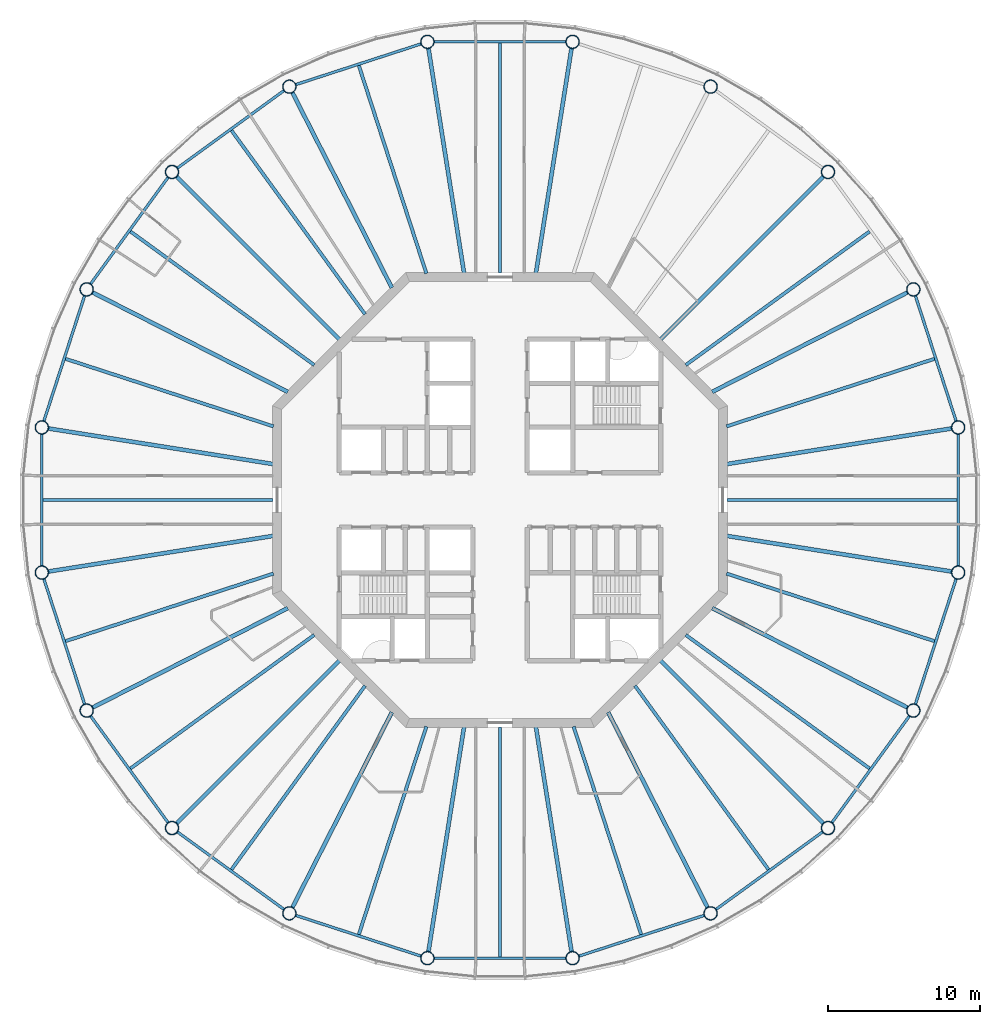
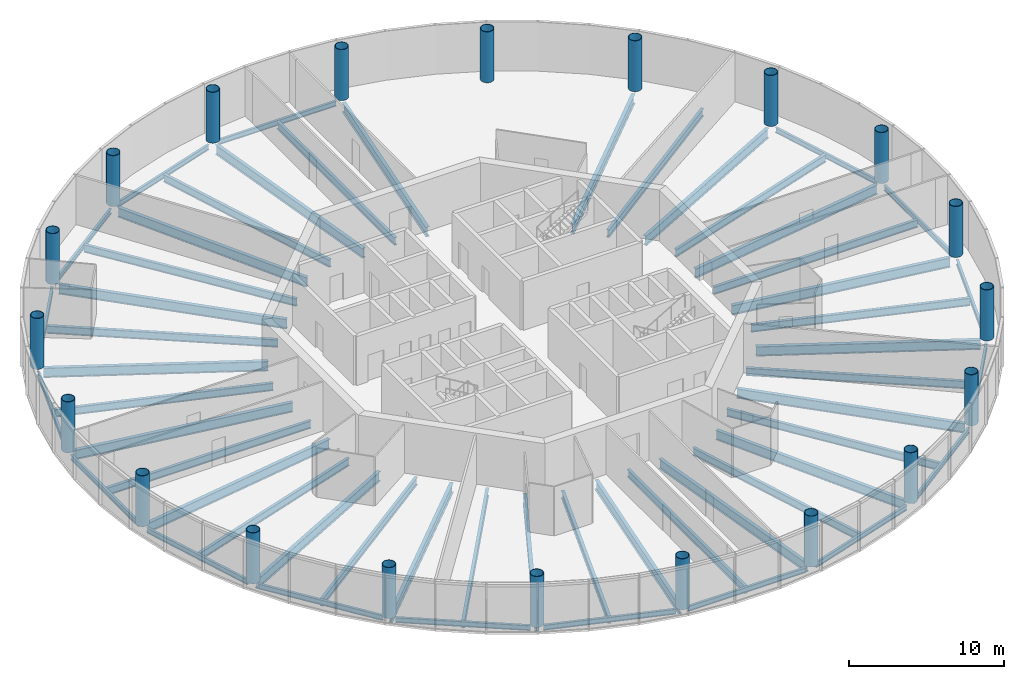
# One storey, part 1 of 13: 54 beams, 20 columns.
"""IFC4 building model written with IfcOpenShell, lengths in metres."""

from ifc_helpers import new_model, si_unit, direction, frame, origin, origin_2d, place, context, subcontext, project, spatial, circle, hollow_circle, i_section, extrude, material, material_profile, profile_set, type_object, element, save


model = new_model("IFC4")

# Units and contexts
model_context = context("Model", 3, precision=1e-05, world=origin(), true_north=direction((0.0, 1.0)))
body_context = subcontext(model_context, "Body", "Model", "MODEL_VIEW")
ifc_project = project(units=[si_unit("LENGTHUNIT", "METRE"), si_unit("AREAUNIT", "SQUARE_METRE"), si_unit("VOLUMEUNIT", "CUBIC_METRE"), si_unit("PLANEANGLEUNIT", "RADIAN"), si_unit("MASSUNIT", "GRAM", prefix="KILO")], contexts=[model_context])

# Site, building, storey
site_placement = place(None, origin())
site = spatial("IfcSite", under=ifc_project, at=site_placement, CompositionType="ELEMENT")
building_placement = place(site_placement, origin())
building = spatial("IfcBuilding", under=site, at=building_placement, Name="Entoto Ring Tower", CompositionType="ELEMENT")
storey_placement = place(building_placement, frame((0.0, 0.0, 364.0)))
storey = spatial("IfcBuildingStorey", under=building, at=storey_placement, Name="L84", CompositionType="ELEMENT", Elevation=364.0)

# Columns
ifc_material_1 = material(Name="Steel S355", Category="steel")
ifc_material_profile_1 = material_profile(ifc_material_1, hollow_circle(Radius=0.449951171875, WallThickness=0.0400390625, at=origin_2d()), Name="CHS 900 x 40")
ifc_material_2 = material(Name="Concrete C60/75", Category="concrete")
ifc_material_profile_2 = material_profile(ifc_material_2, circle(Radius=0.409912109375, at=origin_2d()), Name="Concrete C60/75 infill")
ifc_profile_set_1 = profile_set([ifc_material_profile_1, ifc_material_profile_2], Name="Steel S355")
column_type = type_object("IfcColumnType", Name="Ring column 900 x 40 concrete-filled tube", PredefinedType="COLUMN", material=ifc_profile_set_1)
for number, where, z_axis, x_axis, name in (
    (1, (120.22314453125, 84.786865234375, 0.0), (0.0, 0.0, 1.0), (1.0, 0.0, 0.0), "RC6 R01"),
    (2, (117.264892578125, 93.89208984375, 0.0), (0.0, 0.0, 1.0), (1.0, 0.0, 0.0), "RC6 R02"),
    (3, (111.637451171875, 101.637451171875, 0.0), (0.0, 0.0, 1.0), (1.0, 0.0, 0.0), "RC6 R03"),
    (4, (103.89208984375, 107.264892578125, 0.0), (0.0, 0.0, 1.0), (1.0, 0.0, 0.0), "RC6 R04"),
    (5, (94.786865234375, 110.22314453125, 0.0), (0.0, 0.0, 1.0), (1.0, 0.0, 0.0), "RC6 R05"),
    (6, (85.213134765625, 110.22314453125, 0.0), (0.0, 0.0, 1.0), (1.0, 0.0, 0.0), "RC6 R06"),
    (7, (76.10791015625, 107.264892578125, 0.0), (0.0, 0.0, 1.0), (1.0, 0.0, 0.0), "RC6 R07"),
    (8, (68.362548828125, 101.637451171875, 0.0), (0.0, 0.0, 1.0), (1.0, 0.0, 0.0), "RC6 R08"),
    (9, (62.735107421875, 93.89208984375, 0.0), (0.0, 0.0, 1.0), (1.0, 0.0, 0.0), "RC6 R09"),
    (10, (59.77685546875, 84.786865234375, 0.0), (0.0, 0.0, 1.0), (1.0, 0.0, 0.0), "RC6 R10"),
    (11, (59.77685546875, 75.213134765625, 0.0), (0.0, 0.0, 1.0), (1.0, 0.0, 0.0), "RC6 R11"),
    (12, (62.735107421875, 66.10791015625, 0.0), (0.0, 0.0, 1.0), (1.0, 0.0, 0.0), "RC6 R12"),
    (13, (68.362548828125, 58.362548828125, 0.0), (0.0, 0.0, 1.0), (1.0, 0.0, 0.0), "RC6 R13"),
    (14, (76.10791015625, 52.735107421875, 0.0), (0.0, 0.0, 1.0), (1.0, 0.0, 0.0), "RC6 R14"),
    (15, (85.213134765625, 49.77685546875, 0.0), (0.0, 0.0, 1.0), (1.0, 0.0, 0.0), "RC6 R15"),
    (16, (94.786865234375, 49.77685546875, 0.0), (0.0, 0.0, 1.0), (1.0, 0.0, 0.0), "RC6 R16"),
    (17, (103.89208984375, 52.735107421875, 0.0), (0.0, 0.0, 1.0), (1.0, 0.0, 0.0), "RC6 R17"),
    (18, (111.637451171875, 58.362548828125, 0.0), (0.0, 0.0, 1.0), (1.0, 0.0, 0.0), "RC6 R18"),
    (19, (117.264892578125, 66.10791015625, 0.0), (0.0, 0.0, 1.0), (1.0, 0.0, 0.0), "RC6 R19"),
    (20, (120.22314453125, 75.213134765625, 0.0), (0.0, 0.0, 1.0), (1.0, 0.0, 0.0), "RC6 R20"),
):
    element("IfcColumn", number, at=place(storey_placement, frame(where, z_axis=z_axis, x_axis=x_axis)), inside=storey, type_object=column_type, Name=name, PredefinedType="COLUMN", context=body_context, shape_type="SweptSolid", body=[
        extrude(hollow_circle(Radius=0.449951171875, WallThickness=0.0400390625, at=origin_2d()), origin(), (0.0, 0.0, 1.0), 4.0),
    ])

# Beams
ifc_material_3 = material(Name="Steel S355", Category="steel")
ifc_material_profile_3 = material_profile(ifc_material_3, i_section(OverallWidth=0.179931640625, OverallDepth=0.39990234375, WebThickness=0.008544921875, FlangeThickness=0.013427734375, FilletRadius=0.02099609375, at=origin_2d()), Name="IPE 400")
ifc_profile_set_2 = profile_set([ifc_material_profile_3], Name="Steel S355")
beam_type_1 = type_object("IfcBeamType", Name="Edge beam IPE 400", PredefinedType="SPANDREL", material=ifc_profile_set_2)
beam_1_placement = place(storey_placement, frame((120.09326171875, 85.187255859375, -0.35009765625), z_axis=(-0.309030438368, 0.951052147972, 0.0), x_axis=(-0.951052147972, -0.309030438368, 0.0)))
element("IfcBeam", 21, at=beam_1_placement, inside=storey, type_object=beam_type_1, Name="Edge beam L84 01", PredefinedType="SPANDREL", context=body_context, shape_type="SweptSolid", body=[
    extrude(i_section(OverallWidth=0.179931640625, OverallDepth=0.39990234375, WebThickness=0.008544921875, FlangeThickness=0.013427734375, FilletRadius=0.02099609375, at=origin_2d()), origin(), (0.0, 0.0, 1.0), 8.732177734375),
])
beam_2_placement = place(storey_placement, frame((94.365966796875, 110.22314453125, -0.35009765625), z_axis=(-1.0, 0.0, 0.0), x_axis=(0.0, -1.0, 0.0)))
element("IfcBeam", 22, at=beam_2_placement, inside=storey, type_object=beam_type_1, Name="Edge beam L84 05", PredefinedType="SPANDREL", context=body_context, shape_type="SweptSolid", body=[
    extrude(i_section(OverallWidth=0.179931640625, OverallDepth=0.39990234375, WebThickness=0.008544921875, FlangeThickness=0.013427734375, FilletRadius=0.02099609375, at=origin_2d()), origin(), (0.0, 0.0, 1.0), 8.73193359375),
])
beam_3_placement = place(storey_placement, frame((84.812744140625, 110.09326171875, -0.35009765625), z_axis=(-0.951052147972, -0.309030438368, 0.0), x_axis=(0.309030438368, -0.951052147972, 0.0)))
element("IfcBeam", 23, at=beam_3_placement, inside=storey, type_object=beam_type_1, Name="Edge beam L84 06", PredefinedType="SPANDREL", context=body_context, shape_type="SweptSolid", body=[
    extrude(i_section(OverallWidth=0.179931640625, OverallDepth=0.39990234375, WebThickness=0.008544921875, FlangeThickness=0.013427734375, FilletRadius=0.02099609375, at=origin_2d()), origin(), (0.0, 0.0, 1.0), 8.732177734375),
])
for number, where, z_axis, x_axis, name in (
    (24, (75.767333984375, 107.017333984375, -0.35009765625), (-0.80901045354, -0.587794254874, 0.0), (0.587794254874, -0.80901045354, 0.0), "Edge beam L84 07"),
    (25, (68.115234375, 101.296875, -0.35009765625), (-0.587794254874, -0.80901045354, 0.0), (0.80901045354, -0.587794254874, 0.0), "Edge beam L84 08"),
):
    element("IfcBeam", number, at=place(storey_placement, frame(where, z_axis=z_axis, x_axis=x_axis)), inside=storey, type_object=beam_type_1, Name=name, PredefinedType="SPANDREL", context=body_context, shape_type="SweptSolid", body=[
        extrude(i_section(OverallWidth=0.179931640625, OverallDepth=0.39990234375, WebThickness=0.008544921875, FlangeThickness=0.013427734375, FilletRadius=0.02099609375, at=origin_2d()), origin(), (0.0, 0.0, 1.0), 8.73193359375),
    ])
beam_4_placement = place(storey_placement, frame((62.605224609375, 93.491943359375, -0.35009765625), z_axis=(-0.309030438368, -0.951052147972, 0.0), x_axis=(0.951052147972, -0.309030438368, 0.0)))
element("IfcBeam", 26, at=beam_4_placement, inside=storey, type_object=beam_type_1, Name="Edge beam L84 09", PredefinedType="SPANDREL", context=body_context, shape_type="SweptSolid", body=[
    extrude(i_section(OverallWidth=0.179931640625, OverallDepth=0.39990234375, WebThickness=0.008544921875, FlangeThickness=0.013427734375, FilletRadius=0.02099609375, at=origin_2d()), origin(), (0.0, 0.0, 1.0), 8.732177734375),
])
beam_5_placement = place(storey_placement, frame((59.77685546875, 84.365966796875, -0.35009765625), z_axis=(0.0, -1.0, 0.0), x_axis=(1.0, 0.0, 0.0)))
element("IfcBeam", 27, at=beam_5_placement, inside=storey, type_object=beam_type_1, Name="Edge beam L84 10", PredefinedType="SPANDREL", context=body_context, shape_type="SweptSolid", body=[
    extrude(i_section(OverallWidth=0.179931640625, OverallDepth=0.39990234375, WebThickness=0.008544921875, FlangeThickness=0.013427734375, FilletRadius=0.02099609375, at=origin_2d()), origin(), (0.0, 0.0, 1.0), 8.73193359375),
])
beam_6_placement = place(storey_placement, frame((59.90673828125, 74.812744140625, -0.35009765625), z_axis=(0.309030438368, -0.951052147972, 0.0), x_axis=(0.951052147972, 0.309030438368, 0.0)))
element("IfcBeam", 28, at=beam_6_placement, inside=storey, type_object=beam_type_1, Name="Edge beam L84 11", PredefinedType="SPANDREL", context=body_context, shape_type="SweptSolid", body=[
    extrude(i_section(OverallWidth=0.179931640625, OverallDepth=0.39990234375, WebThickness=0.008544921875, FlangeThickness=0.013427734375, FilletRadius=0.02099609375, at=origin_2d()), origin(), (0.0, 0.0, 1.0), 8.732177734375),
])
for number, where, z_axis, x_axis, name in (
    (29, (62.982666015625, 65.767333984375, -0.35009765625), (0.587794254874, -0.80901045354, 0.0), (0.80901045354, 0.587794254874, 0.0), "Edge beam L84 12"),
    (30, (68.703125, 58.115234375, -0.35009765625), (0.80901045354, -0.587794254874, 0.0), (0.587794254874, 0.80901045354, 0.0), "Edge beam L84 13"),
):
    element("IfcBeam", number, at=place(storey_placement, frame(where, z_axis=z_axis, x_axis=x_axis)), inside=storey, type_object=beam_type_1, Name=name, PredefinedType="SPANDREL", context=body_context, shape_type="SweptSolid", body=[
        extrude(i_section(OverallWidth=0.179931640625, OverallDepth=0.39990234375, WebThickness=0.008544921875, FlangeThickness=0.013427734375, FilletRadius=0.02099609375, at=origin_2d()), origin(), (0.0, 0.0, 1.0), 8.73193359375),
    ])
beam_7_placement = place(storey_placement, frame((76.508056640625, 52.605224609375, -0.35009765625), z_axis=(0.951052147972, -0.309030438368, 0.0), x_axis=(0.309030438368, 0.951052147972, 0.0)))
element("IfcBeam", 31, at=beam_7_placement, inside=storey, type_object=beam_type_1, Name="Edge beam L84 14", PredefinedType="SPANDREL", context=body_context, shape_type="SweptSolid", body=[
    extrude(i_section(OverallWidth=0.179931640625, OverallDepth=0.39990234375, WebThickness=0.008544921875, FlangeThickness=0.013427734375, FilletRadius=0.02099609375, at=origin_2d()), origin(), (0.0, 0.0, 1.0), 8.732177734375),
])
beam_8_placement = place(storey_placement, frame((85.634033203125, 49.77685546875, -0.35009765625), z_axis=(1.0, 0.0, 0.0), x_axis=(0.0, 1.0, 0.0)))
element("IfcBeam", 32, at=beam_8_placement, inside=storey, type_object=beam_type_1, Name="Edge beam L84 15", PredefinedType="SPANDREL", context=body_context, shape_type="SweptSolid", body=[
    extrude(i_section(OverallWidth=0.179931640625, OverallDepth=0.39990234375, WebThickness=0.008544921875, FlangeThickness=0.013427734375, FilletRadius=0.02099609375, at=origin_2d()), origin(), (0.0, 0.0, 1.0), 8.73193359375),
])
beam_9_placement = place(storey_placement, frame((95.187255859375, 49.90673828125, -0.35009765625), z_axis=(0.951052147972, 0.309030438368, 0.0), x_axis=(-0.309030438368, 0.951052147972, 0.0)))
element("IfcBeam", 33, at=beam_9_placement, inside=storey, type_object=beam_type_1, Name="Edge beam L84 16", PredefinedType="SPANDREL", context=body_context, shape_type="SweptSolid", body=[
    extrude(i_section(OverallWidth=0.179931640625, OverallDepth=0.39990234375, WebThickness=0.008544921875, FlangeThickness=0.013427734375, FilletRadius=0.02099609375, at=origin_2d()), origin(), (0.0, 0.0, 1.0), 8.732177734375),
])
for number, where, z_axis, x_axis, name in (
    (34, (104.232666015625, 52.982666015625, -0.35009765625), (0.80901045354, 0.587794254874, 0.0), (-0.587794254874, 0.80901045354, 0.0), "Edge beam L84 17"),
    (35, (111.884765625, 58.703125, -0.35009765625), (0.587794254874, 0.80901045354, 0.0), (-0.80901045354, 0.587794254874, 0.0), "Edge beam L84 18"),
):
    element("IfcBeam", number, at=place(storey_placement, frame(where, z_axis=z_axis, x_axis=x_axis)), inside=storey, type_object=beam_type_1, Name=name, PredefinedType="SPANDREL", context=body_context, shape_type="SweptSolid", body=[
        extrude(i_section(OverallWidth=0.179931640625, OverallDepth=0.39990234375, WebThickness=0.008544921875, FlangeThickness=0.013427734375, FilletRadius=0.02099609375, at=origin_2d()), origin(), (0.0, 0.0, 1.0), 8.73193359375),
    ])
beam_10_placement = place(storey_placement, frame((117.394775390625, 66.508056640625, -0.35009765625), z_axis=(0.309030438368, 0.951052147972, 0.0), x_axis=(-0.951052147972, 0.309030438368, 0.0)))
element("IfcBeam", 36, at=beam_10_placement, inside=storey, type_object=beam_type_1, Name="Edge beam L84 19", PredefinedType="SPANDREL", context=body_context, shape_type="SweptSolid", body=[
    extrude(i_section(OverallWidth=0.179931640625, OverallDepth=0.39990234375, WebThickness=0.008544921875, FlangeThickness=0.013427734375, FilletRadius=0.02099609375, at=origin_2d()), origin(), (0.0, 0.0, 1.0), 8.732177734375),
])
beam_11_placement = place(storey_placement, frame((120.22314453125, 75.634033203125, -0.35009765625), z_axis=(0.0, 1.0, 0.0), x_axis=(-1.0, 0.0, 0.0)))
element("IfcBeam", 37, at=beam_11_placement, inside=storey, type_object=beam_type_1, Name="Edge beam L84 20", PredefinedType="SPANDREL", context=body_context, shape_type="SweptSolid", body=[
    extrude(i_section(OverallWidth=0.179931640625, OverallDepth=0.39990234375, WebThickness=0.008544921875, FlangeThickness=0.013427734375, FilletRadius=0.02099609375, at=origin_2d()), origin(), (0.0, 0.0, 1.0), 8.73193359375),
])
ifc_material_4 = material(Name="Steel S355", Category="steel")
ifc_material_profile_4 = material_profile(ifc_material_4, i_section(OverallWidth=0.262939453125, OverallDepth=0.7529296875, WebThickness=0.011474609375, FlangeThickness=0.01708984375, FilletRadius=0.01708984375, at=origin_2d()), Name="IPE 750 x 137")
ifc_profile_set_3 = profile_set([ifc_material_profile_4], Name="Steel S355")
beam_type_2 = type_object("IfcBeamType", Name="Primary floor beam IPE 750 x 137", PredefinedType="BEAM", material=ifc_profile_set_3)
beam_12_placement = place(storey_placement, frame((104.959716796875, 82.369384765625, -0.526611328125), z_axis=(0.987688638122, 0.156432586517, 0.0), x_axis=(-0.156432586517, 0.987688638122, 0.0)))
element("IfcBeam", 38, at=beam_12_placement, inside=storey, type_object=beam_type_2, Name="Primary L84 R01", PredefinedType="BEAM", context=body_context, shape_type="SweptSolid", body=[
    extrude(i_section(OverallWidth=0.262939453125, OverallDepth=0.7529296875, WebThickness=0.011474609375, FlangeThickness=0.01708984375, FilletRadius=0.01708984375, at=origin_2d()), origin(), (0.0, 0.0, 1.0), 15.04345703125),
])
beam_13_placement = place(storey_placement, frame((103.9970703125, 87.1318359375, -0.526611328125), z_axis=(0.89100578373, 0.453991952968, 0.0), x_axis=(-0.453991952968, 0.89100578373, 0.0)))
element("IfcBeam", 39, at=beam_13_placement, inside=storey, type_object=beam_type_2, Name="Primary L84 R02", PredefinedType="BEAM", context=body_context, shape_type="SweptSolid", body=[
    extrude(i_section(OverallWidth=0.262939453125, OverallDepth=0.7529296875, WebThickness=0.011474609375, FlangeThickness=0.01708984375, FilletRadius=0.01708984375, at=origin_2d()), origin(), (0.0, 0.0, 1.0), 14.48046875),
])
beam_14_placement = place(storey_placement, frame((100.592529296875, 90.592529296875, -0.526611328125), z_axis=(0.707106781187, 0.707106781187, 0.0), x_axis=(-0.707106781187, 0.707106781187, 0.0)))
element("IfcBeam", 40, at=beam_14_placement, inside=storey, type_object=beam_type_2, Name="Primary L84 R03", PredefinedType="BEAM", context=body_context, shape_type="SweptSolid", body=[
    extrude(i_section(OverallWidth=0.262939453125, OverallDepth=0.7529296875, WebThickness=0.011474609375, FlangeThickness=0.01708984375, FilletRadius=0.01708984375, at=origin_2d()), origin(), (0.0, 0.0, 1.0), 15.209716796875),
])
for number, where, z_axis, x_axis, name in (
    (41, (92.369384765625, 94.959716796875, -0.526611328125), (0.156432586517, 0.987688638122, 0.0), (-0.987688638122, 0.156432586517, 0.0), "Primary L84 R05"),
    (42, (87.630615234375, 94.959716796875, -0.526611328125), (-0.156432586517, 0.987688638122, 0.0), (-0.987688638122, -0.156432586517, 0.0), "Primary L84 R06"),
):
    element("IfcBeam", number, at=place(storey_placement, frame(where, z_axis=z_axis, x_axis=x_axis)), inside=storey, type_object=beam_type_2, Name=name, PredefinedType="BEAM", context=body_context, shape_type="SweptSolid", body=[
        extrude(i_section(OverallWidth=0.262939453125, OverallDepth=0.7529296875, WebThickness=0.011474609375, FlangeThickness=0.01708984375, FilletRadius=0.01708984375, at=origin_2d()), origin(), (0.0, 0.0, 1.0), 15.04345703125),
    ])
beam_15_placement = place(storey_placement, frame((82.8681640625, 93.9970703125, -0.526611328125), z_axis=(-0.453991952968, 0.89100578373, 0.0), x_axis=(-0.89100578373, -0.453991952968, 0.0)))
element("IfcBeam", 43, at=beam_15_placement, inside=storey, type_object=beam_type_2, Name="Primary L84 R07", PredefinedType="BEAM", context=body_context, shape_type="SweptSolid", body=[
    extrude(i_section(OverallWidth=0.262939453125, OverallDepth=0.7529296875, WebThickness=0.011474609375, FlangeThickness=0.01708984375, FilletRadius=0.01708984375, at=origin_2d()), origin(), (0.0, 0.0, 1.0), 14.48046875),
])
beam_16_placement = place(storey_placement, frame((79.407470703125, 90.592529296875, -0.526611328125), z_axis=(-0.707106781187, 0.707106781187, 0.0), x_axis=(-0.707106781187, -0.707106781187, 0.0)))
element("IfcBeam", 44, at=beam_16_placement, inside=storey, type_object=beam_type_2, Name="Primary L84 R08", PredefinedType="BEAM", context=body_context, shape_type="SweptSolid", body=[
    extrude(i_section(OverallWidth=0.262939453125, OverallDepth=0.7529296875, WebThickness=0.011474609375, FlangeThickness=0.01708984375, FilletRadius=0.01708984375, at=origin_2d()), origin(), (0.0, 0.0, 1.0), 15.209716796875),
])
beam_17_placement = place(storey_placement, frame((76.0029296875, 87.1318359375, -0.526611328125), z_axis=(-0.89100578373, 0.453991952968, 0.0), x_axis=(-0.453991952968, -0.89100578373, 0.0)))
element("IfcBeam", 45, at=beam_17_placement, inside=storey, type_object=beam_type_2, Name="Primary L84 R09", PredefinedType="BEAM", context=body_context, shape_type="SweptSolid", body=[
    extrude(i_section(OverallWidth=0.262939453125, OverallDepth=0.7529296875, WebThickness=0.011474609375, FlangeThickness=0.01708984375, FilletRadius=0.01708984375, at=origin_2d()), origin(), (0.0, 0.0, 1.0), 14.48046875),
])
for number, where, z_axis, x_axis, name in (
    (46, (75.040283203125, 82.369384765625, -0.526611328125), (-0.987688638122, 0.156432586517, 0.0), (-0.156432586517, -0.987688638122, 0.0), "Primary L84 R10"),
    (47, (75.040283203125, 77.630615234375, -0.526611328125), (-0.987688638122, -0.156432586517, 0.0), (0.156432586517, -0.987688638122, 0.0), "Primary L84 R11"),
):
    element("IfcBeam", number, at=place(storey_placement, frame(where, z_axis=z_axis, x_axis=x_axis)), inside=storey, type_object=beam_type_2, Name=name, PredefinedType="BEAM", context=body_context, shape_type="SweptSolid", body=[
        extrude(i_section(OverallWidth=0.262939453125, OverallDepth=0.7529296875, WebThickness=0.011474609375, FlangeThickness=0.01708984375, FilletRadius=0.01708984375, at=origin_2d()), origin(), (0.0, 0.0, 1.0), 15.04345703125),
    ])
beam_18_placement = place(storey_placement, frame((76.0029296875, 72.8681640625, -0.526611328125), z_axis=(-0.89100578373, -0.453991952968, 0.0), x_axis=(0.453991952968, -0.89100578373, 0.0)))
element("IfcBeam", 48, at=beam_18_placement, inside=storey, type_object=beam_type_2, Name="Primary L84 R12", PredefinedType="BEAM", context=body_context, shape_type="SweptSolid", body=[
    extrude(i_section(OverallWidth=0.262939453125, OverallDepth=0.7529296875, WebThickness=0.011474609375, FlangeThickness=0.01708984375, FilletRadius=0.01708984375, at=origin_2d()), origin(), (0.0, 0.0, 1.0), 14.48046875),
])
beam_19_placement = place(storey_placement, frame((79.407470703125, 69.407470703125, -0.526611328125), z_axis=(-0.707106781187, -0.707106781187, 0.0), x_axis=(0.707106781187, -0.707106781187, 0.0)))
element("IfcBeam", 49, at=beam_19_placement, inside=storey, type_object=beam_type_2, Name="Primary L84 R13", PredefinedType="BEAM", context=body_context, shape_type="SweptSolid", body=[
    extrude(i_section(OverallWidth=0.262939453125, OverallDepth=0.7529296875, WebThickness=0.011474609375, FlangeThickness=0.01708984375, FilletRadius=0.01708984375, at=origin_2d()), origin(), (0.0, 0.0, 1.0), 15.209716796875),
])
beam_20_placement = place(storey_placement, frame((82.8681640625, 66.0029296875, -0.526611328125), z_axis=(-0.453991952968, -0.89100578373, 0.0), x_axis=(0.89100578373, -0.453991952968, 0.0)))
element("IfcBeam", 50, at=beam_20_placement, inside=storey, type_object=beam_type_2, Name="Primary L84 R14", PredefinedType="BEAM", context=body_context, shape_type="SweptSolid", body=[
    extrude(i_section(OverallWidth=0.262939453125, OverallDepth=0.7529296875, WebThickness=0.011474609375, FlangeThickness=0.01708984375, FilletRadius=0.01708984375, at=origin_2d()), origin(), (0.0, 0.0, 1.0), 14.48046875),
])
for number, where, z_axis, x_axis, name in (
    (51, (87.630615234375, 65.040283203125, -0.526611328125), (-0.156432586517, -0.987688638122, 0.0), (0.987688638122, -0.156432586517, 0.0), "Primary L84 R15"),
    (52, (92.369384765625, 65.040283203125, -0.526611328125), (0.156432586517, -0.987688638122, 0.0), (0.987688638122, 0.156432586517, 0.0), "Primary L84 R16"),
):
    element("IfcBeam", number, at=place(storey_placement, frame(where, z_axis=z_axis, x_axis=x_axis)), inside=storey, type_object=beam_type_2, Name=name, PredefinedType="BEAM", context=body_context, shape_type="SweptSolid", body=[
        extrude(i_section(OverallWidth=0.262939453125, OverallDepth=0.7529296875, WebThickness=0.011474609375, FlangeThickness=0.01708984375, FilletRadius=0.01708984375, at=origin_2d()), origin(), (0.0, 0.0, 1.0), 15.04345703125),
    ])
beam_21_placement = place(storey_placement, frame((97.1318359375, 66.0029296875, -0.526611328125), z_axis=(0.453991952968, -0.89100578373, 0.0), x_axis=(0.89100578373, 0.453991952968, 0.0)))
element("IfcBeam", 53, at=beam_21_placement, inside=storey, type_object=beam_type_2, Name="Primary L84 R17", PredefinedType="BEAM", context=body_context, shape_type="SweptSolid", body=[
    extrude(i_section(OverallWidth=0.262939453125, OverallDepth=0.7529296875, WebThickness=0.011474609375, FlangeThickness=0.01708984375, FilletRadius=0.01708984375, at=origin_2d()), origin(), (0.0, 0.0, 1.0), 14.48046875),
])
beam_22_placement = place(storey_placement, frame((100.592529296875, 69.407470703125, -0.526611328125), z_axis=(0.707106781187, -0.707106781187, 0.0), x_axis=(0.707106781187, 0.707106781187, 0.0)))
element("IfcBeam", 54, at=beam_22_placement, inside=storey, type_object=beam_type_2, Name="Primary L84 R18", PredefinedType="BEAM", context=body_context, shape_type="SweptSolid", body=[
    extrude(i_section(OverallWidth=0.262939453125, OverallDepth=0.7529296875, WebThickness=0.011474609375, FlangeThickness=0.01708984375, FilletRadius=0.01708984375, at=origin_2d()), origin(), (0.0, 0.0, 1.0), 15.209716796875),
])
beam_23_placement = place(storey_placement, frame((103.9970703125, 72.8681640625, -0.526611328125), z_axis=(0.89100578373, -0.453991952968, 0.0), x_axis=(0.453991952968, 0.89100578373, 0.0)))
element("IfcBeam", 55, at=beam_23_placement, inside=storey, type_object=beam_type_2, Name="Primary L84 R19", PredefinedType="BEAM", context=body_context, shape_type="SweptSolid", body=[
    extrude(i_section(OverallWidth=0.262939453125, OverallDepth=0.7529296875, WebThickness=0.011474609375, FlangeThickness=0.01708984375, FilletRadius=0.01708984375, at=origin_2d()), origin(), (0.0, 0.0, 1.0), 14.48046875),
])
beam_24_placement = place(storey_placement, frame((104.959716796875, 77.630615234375, -0.526611328125), z_axis=(0.987688638122, -0.156432586517, 0.0), x_axis=(0.156432586517, 0.987688638122, 0.0)))
element("IfcBeam", 56, at=beam_24_placement, inside=storey, type_object=beam_type_2, Name="Primary L84 R20", PredefinedType="BEAM", context=body_context, shape_type="SweptSolid", body=[
    extrude(i_section(OverallWidth=0.262939453125, OverallDepth=0.7529296875, WebThickness=0.011474609375, FlangeThickness=0.01708984375, FilletRadius=0.01708984375, at=origin_2d()), origin(), (0.0, 0.0, 1.0), 15.04345703125),
])
ifc_material_5 = material(Name="Steel S355", Category="steel")
ifc_material_profile_5 = material_profile(ifc_material_5, i_section(OverallWidth=0.219970703125, OverallDepth=0.60009765625, WebThickness=0.011962890625, FlangeThickness=0.01904296875, FilletRadius=0.02392578125, at=origin_2d()), Name="IPE 600")
ifc_profile_set_4 = profile_set([ifc_material_profile_5], Name="Steel S355")
beam_type_3 = type_object("IfcBeamType", Name="Secondary floor beam IPE 600", PredefinedType="JOIST", material=ifc_profile_set_4)
beam_25_placement = place(storey_placement, frame((104.947021484375, 84.856689453125, -0.449951171875), z_axis=(0.951057212949, 0.309014850288, 0.0), x_axis=(-0.309014850288, 0.951057212949, 0.0)))
element("IfcBeam", 57, at=beam_25_placement, inside=storey, type_object=beam_type_3, Name="Secondary beam L84 01", PredefinedType="JOIST", context=body_context, shape_type="SweptSolid", body=[
    extrude(i_section(OverallWidth=0.219970703125, OverallDepth=0.60009765625, WebThickness=0.011962890625, FlangeThickness=0.01904296875, FilletRadius=0.02392578125, at=origin_2d()), origin(), (0.0, 0.0, 1.0), 14.4169921875),
])
beam_26_placement = place(storey_placement, frame((102.25634765625, 88.90478515625, -0.449951171875), z_axis=(0.809019238239, 0.587782163866, 0.0), x_axis=(-0.587782163866, 0.809019238239, 0.0)))
element("IfcBeam", 58, at=beam_26_placement, inside=storey, type_object=beam_type_3, Name="Secondary beam L84 02", PredefinedType="JOIST", context=body_context, shape_type="SweptSolid", body=[
    extrude(i_section(OverallWidth=0.219970703125, OverallDepth=0.60009765625, WebThickness=0.011962890625, FlangeThickness=0.01904296875, FilletRadius=0.02392578125, at=origin_2d()), origin(), (0.0, 0.0, 1.0), 14.983642578125),
])
beam_27_placement = place(storey_placement, frame((90.0, 94.97998046875, -0.449951171875), z_axis=(0.0, 1.0, 0.0), x_axis=(-1.0, 0.0, 0.0)))
element("IfcBeam", 59, at=beam_27_placement, inside=storey, type_object=beam_type_3, Name="Secondary beam L84 05", PredefinedType="JOIST", context=body_context, shape_type="SweptSolid", body=[
    extrude(i_section(OverallWidth=0.219970703125, OverallDepth=0.60009765625, WebThickness=0.011962890625, FlangeThickness=0.01904296875, FilletRadius=0.02392578125, at=origin_2d()), origin(), (0.0, 0.0, 1.0), 15.1533203125),
])
beam_28_placement = place(storey_placement, frame((85.143310546875, 94.947021484375, -0.449951171875), z_axis=(-0.309014850288, 0.951057212949, 0.0), x_axis=(-0.951057212949, -0.309014850288, 0.0)))
element("IfcBeam", 60, at=beam_28_placement, inside=storey, type_object=beam_type_3, Name="Secondary beam L84 06", PredefinedType="JOIST", context=body_context, shape_type="SweptSolid", body=[
    extrude(i_section(OverallWidth=0.219970703125, OverallDepth=0.60009765625, WebThickness=0.011962890625, FlangeThickness=0.01904296875, FilletRadius=0.02392578125, at=origin_2d()), origin(), (0.0, 0.0, 1.0), 14.4169921875),
])
for number, where, z_axis, x_axis, name in (
    (61, (81.09521484375, 92.25634765625, -0.449951171875), (-0.587782163866, 0.809019238239, 0.0), (-0.809019238239, -0.587782163866, 0.0), "Secondary beam L84 07"),
    (62, (77.74365234375, 88.90478515625, -0.449951171875), (-0.809019238239, 0.587782163866, 0.0), (-0.587782163866, -0.809019238239, 0.0), "Secondary beam L84 08"),
):
    element("IfcBeam", number, at=place(storey_placement, frame(where, z_axis=z_axis, x_axis=x_axis)), inside=storey, type_object=beam_type_3, Name=name, PredefinedType="JOIST", context=body_context, shape_type="SweptSolid", body=[
        extrude(i_section(OverallWidth=0.219970703125, OverallDepth=0.60009765625, WebThickness=0.011962890625, FlangeThickness=0.01904296875, FilletRadius=0.02392578125, at=origin_2d()), origin(), (0.0, 0.0, 1.0), 14.983642578125),
    ])
beam_29_placement = place(storey_placement, frame((75.052978515625, 84.856689453125, -0.449951171875), z_axis=(-0.951057212949, 0.309014850288, 0.0), x_axis=(-0.309014850288, -0.951057212949, 0.0)))
element("IfcBeam", 63, at=beam_29_placement, inside=storey, type_object=beam_type_3, Name="Secondary beam L84 09", PredefinedType="JOIST", context=body_context, shape_type="SweptSolid", body=[
    extrude(i_section(OverallWidth=0.219970703125, OverallDepth=0.60009765625, WebThickness=0.011962890625, FlangeThickness=0.01904296875, FilletRadius=0.02392578125, at=origin_2d()), origin(), (0.0, 0.0, 1.0), 14.4169921875),
])
beam_30_placement = place(storey_placement, frame((75.02001953125, 80.0, -0.449951171875), z_axis=(-1.0, 0.0, 0.0), x_axis=(0.0, -1.0, 0.0)))
element("IfcBeam", 64, at=beam_30_placement, inside=storey, type_object=beam_type_3, Name="Secondary beam L84 10", PredefinedType="JOIST", context=body_context, shape_type="SweptSolid", body=[
    extrude(i_section(OverallWidth=0.219970703125, OverallDepth=0.60009765625, WebThickness=0.011962890625, FlangeThickness=0.01904296875, FilletRadius=0.02392578125, at=origin_2d()), origin(), (0.0, 0.0, 1.0), 15.1533203125),
])
beam_31_placement = place(storey_placement, frame((75.052978515625, 75.143310546875, -0.449951171875), z_axis=(-0.951057212949, -0.309014850288, 0.0), x_axis=(0.309014850288, -0.951057212949, 0.0)))
element("IfcBeam", 65, at=beam_31_placement, inside=storey, type_object=beam_type_3, Name="Secondary beam L84 11", PredefinedType="JOIST", context=body_context, shape_type="SweptSolid", body=[
    extrude(i_section(OverallWidth=0.219970703125, OverallDepth=0.60009765625, WebThickness=0.011962890625, FlangeThickness=0.01904296875, FilletRadius=0.02392578125, at=origin_2d()), origin(), (0.0, 0.0, 1.0), 14.4169921875),
])
for number, where, z_axis, x_axis, name in (
    (66, (77.74365234375, 71.09521484375, -0.449951171875), (-0.809019238239, -0.587782163866, 0.0), (0.587782163866, -0.809019238239, 0.0), "Secondary beam L84 12"),
    (67, (81.09521484375, 67.74365234375, -0.449951171875), (-0.587782163866, -0.809019238239, 0.0), (0.809019238239, -0.587782163866, 0.0), "Secondary beam L84 13"),
):
    element("IfcBeam", number, at=place(storey_placement, frame(where, z_axis=z_axis, x_axis=x_axis)), inside=storey, type_object=beam_type_3, Name=name, PredefinedType="JOIST", context=body_context, shape_type="SweptSolid", body=[
        extrude(i_section(OverallWidth=0.219970703125, OverallDepth=0.60009765625, WebThickness=0.011962890625, FlangeThickness=0.01904296875, FilletRadius=0.02392578125, at=origin_2d()), origin(), (0.0, 0.0, 1.0), 14.983642578125),
    ])
beam_32_placement = place(storey_placement, frame((85.143310546875, 65.052978515625, -0.449951171875), z_axis=(-0.309014850288, -0.951057212949, 0.0), x_axis=(0.951057212949, -0.309014850288, 0.0)))
element("IfcBeam", 68, at=beam_32_placement, inside=storey, type_object=beam_type_3, Name="Secondary beam L84 14", PredefinedType="JOIST", context=body_context, shape_type="SweptSolid", body=[
    extrude(i_section(OverallWidth=0.219970703125, OverallDepth=0.60009765625, WebThickness=0.011962890625, FlangeThickness=0.01904296875, FilletRadius=0.02392578125, at=origin_2d()), origin(), (0.0, 0.0, 1.0), 14.4169921875),
])
beam_33_placement = place(storey_placement, frame((90.0, 65.02001953125, -0.449951171875), z_axis=(0.0, -1.0, 0.0), x_axis=(1.0, 0.0, 0.0)))
element("IfcBeam", 69, at=beam_33_placement, inside=storey, type_object=beam_type_3, Name="Secondary beam L84 15", PredefinedType="JOIST", context=body_context, shape_type="SweptSolid", body=[
    extrude(i_section(OverallWidth=0.219970703125, OverallDepth=0.60009765625, WebThickness=0.011962890625, FlangeThickness=0.01904296875, FilletRadius=0.02392578125, at=origin_2d()), origin(), (0.0, 0.0, 1.0), 15.1533203125),
])
beam_34_placement = place(storey_placement, frame((94.856689453125, 65.052978515625, -0.449951171875), z_axis=(0.309014850288, -0.951057212949, 0.0), x_axis=(0.951057212949, 0.309014850288, 0.0)))
element("IfcBeam", 70, at=beam_34_placement, inside=storey, type_object=beam_type_3, Name="Secondary beam L84 16", PredefinedType="JOIST", context=body_context, shape_type="SweptSolid", body=[
    extrude(i_section(OverallWidth=0.219970703125, OverallDepth=0.60009765625, WebThickness=0.011962890625, FlangeThickness=0.01904296875, FilletRadius=0.02392578125, at=origin_2d()), origin(), (0.0, 0.0, 1.0), 14.4169921875),
])
for number, where, z_axis, x_axis, name in (
    (71, (98.90478515625, 67.74365234375, -0.449951171875), (0.587782163866, -0.809019238239, 0.0), (0.809019238239, 0.587782163866, 0.0), "Secondary beam L84 17"),
    (72, (102.25634765625, 71.09521484375, -0.449951171875), (0.809019238239, -0.587782163866, 0.0), (0.587782163866, 0.809019238239, 0.0), "Secondary beam L84 18"),
):
    element("IfcBeam", number, at=place(storey_placement, frame(where, z_axis=z_axis, x_axis=x_axis)), inside=storey, type_object=beam_type_3, Name=name, PredefinedType="JOIST", context=body_context, shape_type="SweptSolid", body=[
        extrude(i_section(OverallWidth=0.219970703125, OverallDepth=0.60009765625, WebThickness=0.011962890625, FlangeThickness=0.01904296875, FilletRadius=0.02392578125, at=origin_2d()), origin(), (0.0, 0.0, 1.0), 14.983642578125),
    ])
beam_35_placement = place(storey_placement, frame((104.947021484375, 75.143310546875, -0.449951171875), z_axis=(0.951057212949, -0.309014850288, 0.0), x_axis=(0.309014850288, 0.951057212949, 0.0)))
element("IfcBeam", 73, at=beam_35_placement, inside=storey, type_object=beam_type_3, Name="Secondary beam L84 19", PredefinedType="JOIST", context=body_context, shape_type="SweptSolid", body=[
    extrude(i_section(OverallWidth=0.219970703125, OverallDepth=0.60009765625, WebThickness=0.011962890625, FlangeThickness=0.01904296875, FilletRadius=0.02392578125, at=origin_2d()), origin(), (0.0, 0.0, 1.0), 14.4169921875),
])
beam_36_placement = place(storey_placement, frame((104.97998046875, 80.0, -0.449951171875), z_axis=(1.0, 0.0, 0.0), x_axis=(0.0, 1.0, 0.0)))
element("IfcBeam", 74, at=beam_36_placement, inside=storey, type_object=beam_type_3, Name="Secondary beam L84 20", PredefinedType="JOIST", context=body_context, shape_type="SweptSolid", body=[
    extrude(i_section(OverallWidth=0.219970703125, OverallDepth=0.60009765625, WebThickness=0.011962890625, FlangeThickness=0.01904296875, FilletRadius=0.02392578125, at=origin_2d()), origin(), (0.0, 0.0, 1.0), 15.1533203125),
])

save(model, "model.ifc")
